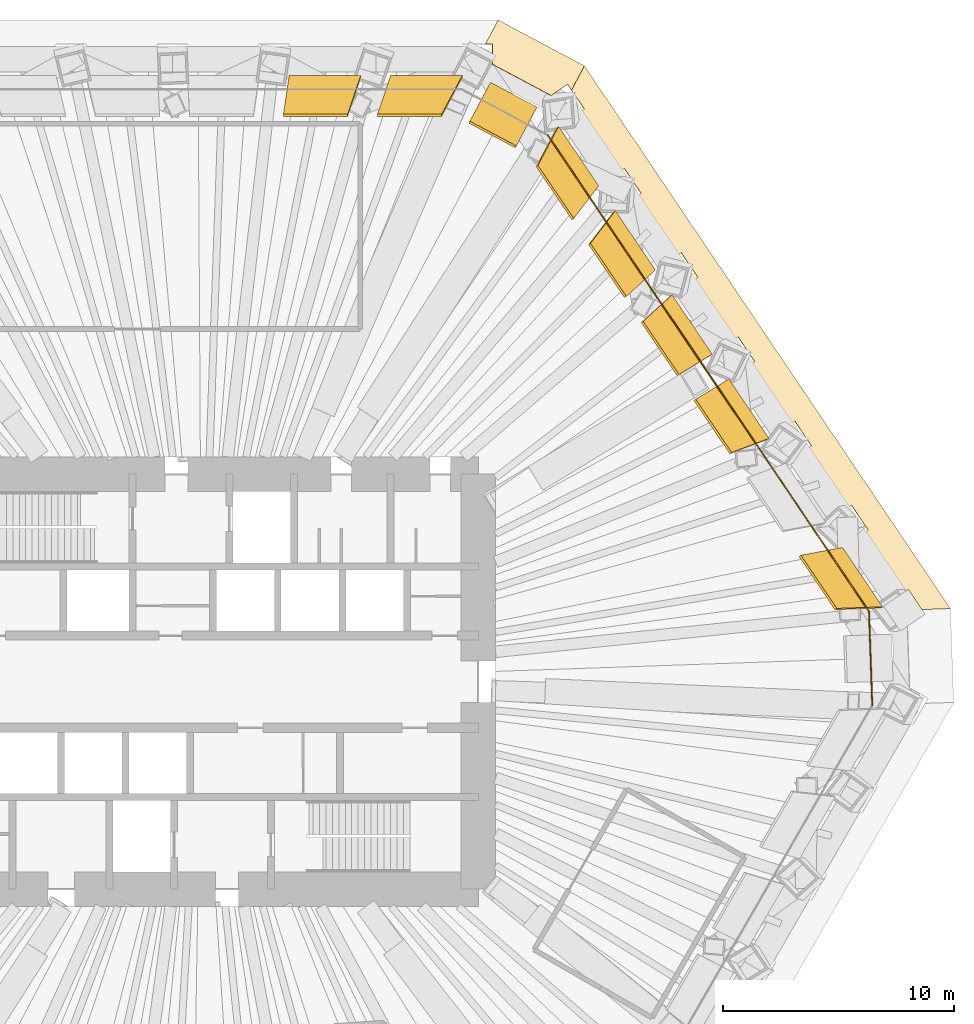
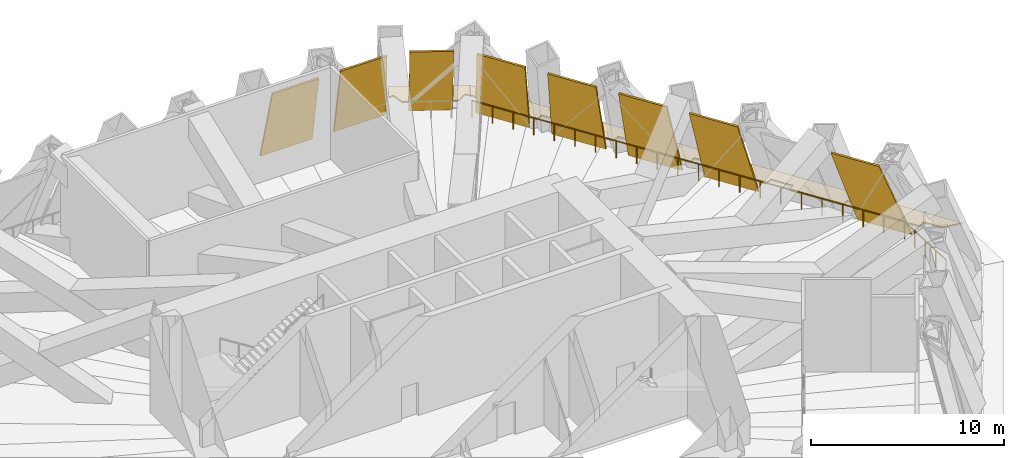
# One storey, part 11 of 12: 8 shading devices, 2 coverings, 1 railing.
"""IFC4 building model written with IfcOpenShell, lengths in metres."""

from ifc_helpers import new_model, si_unit, direction, frame, origin, origin_2d, place, context, subcontext, project, spatial, polyline, circle, outline, extrude, material, layer, layer_set, type_object, element, save


model = new_model("IFC4")

# Units and contexts
model_context = context("Model", 3, precision=1e-05, world=origin(), true_north=direction((0.0, 1.0)))
body_context = subcontext(model_context, "Body", "Model", "MODEL_VIEW")
ifc_project = project(units=[si_unit("LENGTHUNIT", "METRE"), si_unit("AREAUNIT", "SQUARE_METRE"), si_unit("VOLUMEUNIT", "CUBIC_METRE"), si_unit("PLANEANGLEUNIT", "RADIAN"), si_unit("MASSUNIT", "GRAM", prefix="KILO")], contexts=[model_context])

# Site, building, storey
site_placement = place(None, origin())
site = spatial("IfcSite", under=ifc_project, at=site_placement, CompositionType="ELEMENT")
building_placement = place(site_placement, origin())
building = spatial("IfcBuilding", under=site, at=building_placement, Name="Qingtian Harvest Tower", CompositionType="ELEMENT")
storey_placement = place(building_placement, frame((0.0, 0.0, 97.0)))
storey = spatial("IfcBuildingStorey", under=building, at=storey_placement, Name="L19", CompositionType="ELEMENT", Elevation=97.0)

# Coverings
ifc_material_1 = material(Name="Bronze-finished aluminium plate", Category="aluminium")
ifc_layer_1 = layer(ifc_material_1, 0.080078125)
ifc_layer_set_1 = layer_set([ifc_layer_1], Name="Bronze eave band EB1")
covering_type = type_object("IfcCoveringType", Name="Bronze eave band EB1", PredefinedType="CLADDING", material=ifc_layer_set_1)
covering_1_placement = place(storey_placement, frame((12.606201171875, 26.78271484375, -0.02001953125), z_axis=(0.076701145478, 0.144256088621, 0.986563284933), x_axis=(-7.933146e-06, 0.989478249147, -0.144681700299)))
element("IfcCovering", 1, at=covering_1_placement, inside=storey, type_object=covering_type, Name="Eave band EB1 L19 2", PredefinedType="CLADDING", context=body_context, shape_type="SweptSolid", body=[
    extrude(outline(polyline([(0.0, 0.0), (0.8763956404849803, 0.0), (0.8729717556472617, 0.3053438324773871), (1.9404732055051355, -0.2546695087778505), (-0.028366960971275244, -4.007654723345661), (-1.0956268409277816, -3.4478820961291046), (-0.8426554801771812, -3.276974547832019), (-1.3407439182009295, -2.555858715917611), (0.0, 0.0)])), origin(), (0.0, 0.0, -1.0), 0.080078125),
])
covering_2_placement = place(storey_placement, frame((16.14453125, 24.52734375, -0.02001953125), z_axis=(0.15283636579, 0.103089515442, 0.982859907158), x_axis=(0.81482413314, 0.549613709029, -0.184354015147)))
element("IfcCovering", 2, at=covering_2_placement, inside=storey, type_object=covering_type, Name="Eave band EB1 L19 3", PredefinedType="CLADDING", context=body_context, shape_type="SweptSolid", body=[
    extrude(outline(polyline([(0.0, 0.0), (0.5596684932795879, -3.5887091909270197e-17), (0.5597771179543012, 0.9955898071027259), (1.6278436724964207, 1.5538217317291556), (1.6277052207405978, -26.84003938804944), (0.559447402509713, -26.183965508392994), (0.5595462297121364, -25.127704423507748), (-0.0001222635674533734, -25.12770442350775), (-3.365918915498867e-05, -22.022976918155614), (0.5595006510560036, -22.023179319027086), (0.5595002254875999, -20.723013950498707), (-0.00016826779198808595, -20.723013950498707), (-7.96634136897012e-05, -17.618286445146573), (0.559454646831468, -17.618488846018042), (0.5596531529361951, -16.318460000498728), (-1.5340343392900024e-05, -16.318460000498728), (-6.0918999524872675e-05, -13.213934896018063), (0.5596075742800622, -13.213934896018063), (0.5596071487116604, -11.913769527489686), (-6.134456792761256e-05, -11.913769527489686), (-0.00010692322405958521, -8.809244423009023), (0.5595615700555275, -8.809244423009023), (0.5594269614526949, -7.509281455352113), (9.158288066757336e-05, -7.509215577489705), (4.6004224535156624e-05, -4.404690473009042), (0.559515565830993, -4.40455394999998), (0.5595798889012894, -3.1047275053521335), (4.557865613241674e-05, -3.104525104480664), (0.0, 0.0)])), origin(), (0.0, 0.0, -1.0), 0.080078125),
])

# Shading devices
ifc_material_2 = material(Name="Bronze-finished aluminium lattice", Category="aluminium")
ifc_layer_2 = layer(ifc_material_2, 0.10009765625)
ifc_layer_set_2 = layer_set([ifc_layer_2], Name="Bronze lattice screen LS1")
shading_device_type = type_object("IfcShadingDeviceType", Name="Bronze lattice screen LS1", PredefinedType="USERDEFINED", material=ifc_layer_set_2)
shading_device_1_placement = place(storey_placement, frame((3.796875, 26.300048828125, 0.0), z_axis=(0.0, 0.948683298051, 0.316227766017), x_axis=(1.0, 0.0, 0.0)))
element("IfcShadingDevice", 3, at=shading_device_1_placement, inside=storey, type_object=shading_device_type, Name="Lattice screen LS1 L19 N4", ObjectType="SCREEN", PredefinedType="USERDEFINED", context=body_context, shape_type="SweptSolid", body=[
    extrude(outline(polyline([(0.0, 0.0), (3.104736328125, 0.0), (2.5341796875, -5.32321886397973), (-0.24609375, -5.32321886397973), (0.0, 0.0)])), origin(), (0.0, 0.0, -1.0), 0.10009765625),
])
shading_device_2_placement = place(storey_placement, frame((8.20166015625, 26.300048828125, 0.0), z_axis=(0.0, 0.948683298051, 0.316227766017), x_axis=(1.0, 0.0, 0.0)))
element("IfcShadingDevice", 4, at=shading_device_2_placement, inside=storey, type_object=shading_device_type, Name="Lattice screen LS1 L19 N5", ObjectType="SCREEN", PredefinedType="USERDEFINED", context=body_context, shape_type="SweptSolid", body=[
    extrude(outline(polyline([(0.0, 0.0), (3.1044921875, 0.0), (2.20947265625, -5.32321886397973), (-0.570556640625, -5.32321886397973), (0.0, 0.0)])), origin(), (0.0, 0.0, -1.0), 0.10009765625),
])
shading_device_3_placement = place(storey_placement, frame((12.530029296875, 25.994873046875, 0.0), z_axis=(0.439209377372, 0.826046090729, 0.353189720717), x_axis=(0.882950747552, -0.469465629623, 0.0)))
element("IfcShadingDevice", 5, at=shading_device_3_placement, inside=storey, type_object=shading_device_type, Name="Lattice screen LS1 L19 NC", ObjectType="SCREEN", PredefinedType="USERDEFINED", context=body_context, shape_type="SweptSolid", body=[
    extrude(outline(polyline([(0.0, 0.0), (2.2808928144734217, -5.551115123125783e-17), (2.28090943452406, -5.397936553431542), (1.6620050638306093e-05, -5.397936553431542), (0.0, 0.0)])), origin(), (0.0, 0.0, -1.0), 0.10009765625),
])
shading_device_4_placement = place(storey_placement, frame((15.4814453125, 24.080078125, 0.0), z_axis=(0.7865188879, 0.530459446113, 0.316229054652), x_axis=(0.559155679659, -0.829062679083, -7.506551e-06)))
element("IfcShadingDevice", 6, at=shading_device_4_placement, inside=storey, type_object=shading_device_type, Name="Lattice screen LS1 L19 NE0", ObjectType="SCREEN", PredefinedType="USERDEFINED", context=body_context, shape_type="SweptSolid", body=[
    extrude(outline(polyline([(0.0, 0.0), (3.1047275057690653, 0.0), (3.6752178084121327, -5.323250354940823), (0.89510917422902, -5.323203790568995), (0.0, 0.0)])), origin(), (0.0, 0.0, -1.0), 0.10009765625),
])
shading_device_5_placement = place(storey_placement, frame((17.9443359375, 20.428466796875, 0.0), z_axis=(0.786506912498, 0.530490726259, 0.316206366074), x_axis=(0.559181342857, -0.829045370166, 2.811531e-06)))
element("IfcShadingDevice", 7, at=shading_device_5_placement, inside=storey, type_object=shading_device_type, Name="Lattice screen LS1 L19 NE1", ObjectType="SCREEN", PredefinedType="USERDEFINED", context=body_context, shape_type="SweptSolid", body=[
    extrude(outline(polyline([(0.0, 0.0), (3.1047275065210624, -5.551115123125783e-17), (3.350871966866163, -5.323168908986348), (0.5706268176852018, -5.323186349643704), (0.0, 0.0)])), origin(), (0.0, 0.0, -1.0), 0.10009765625),
])
shading_device_6_placement = place(storey_placement, frame((20.407470703125, 16.77685546875, 0.0), z_axis=(0.786500174983, 0.530486181875, 0.316230747385), x_axis=(0.559181342737, -0.829045370246, 2.811724e-06)))
element("IfcShadingDevice", 8, at=shading_device_6_placement, inside=storey, type_object=shading_device_type, Name="Lattice screen LS1 L19 NE2", ObjectType="SCREEN", PredefinedType="USERDEFINED", context=body_context, shape_type="SweptSolid", body=[
    extrude(outline(polyline([(0.0, 0.0), (3.1047275065210647, 0.0), (3.02625309185994, -5.3232154710837465), (0.24600794267898524, -5.323232913085876), (0.0, 0.0)])), origin(), (0.0, 0.0, -1.0), 0.10009765625),
])
shading_device_7_placement = place(storey_placement, frame((22.870361328125, 13.125244140625, 0.0), z_axis=(0.786510246663, 0.530480163365, 0.316215793677), x_axis=(0.559176634211, -0.829048545963, -1.3738725e-05)))
element("IfcShadingDevice", 9, at=shading_device_7_placement, inside=storey, type_object=shading_device_type, Name="Lattice screen LS1 L19 NE3", ObjectType="SCREEN", PredefinedType="USERDEFINED", context=body_context, shape_type="SweptSolid", body=[
    extrude(outline(polyline([(0.0, 0.0), (3.1045251019088216, 5.551115123125783e-17), (2.7016967137984347, -5.323235597681657), (-0.07841191717325936, -5.323150377435246), (0.0, 0.0)])), origin(), (0.0, 0.0, -1.0), 0.10009765625),
])
shading_device_8_placement = place(storey_placement, frame((27.79638671875, 5.822021484375, 0.0), z_axis=(0.786493800295, 0.530508428873, 0.316209280371), x_axis=(0.559202297577, -0.829031236066, -3.420592e-06)))
element("IfcShadingDevice", 10, at=shading_device_8_placement, inside=storey, type_object=shading_device_type, Name="Lattice screen LS1 L19 NE5", ObjectType="SCREEN", PredefinedType="USERDEFINED", context=body_context, shape_type="SweptSolid", body=[
    extrude(outline(polyline([(0.0, 0.0), (3.104525104657336, 0.0), (2.0527320012104777, -5.323191691348329), (-0.727513147878442, -5.323170473237191), (0.0, 0.0)])), origin(), (0.0, 0.0, -1.0), 0.10009765625),
])

# Railing
ifc_material_3 = material(Name="Galvanised steel guard", Category="steel")
railing_type = type_object("IfcRailingType", Name="Setback roof guard GR4 1100", PredefinedType="GUARDRAIL", material=ifc_material_3)
railing_placement = place(storey_placement, frame((15.007080078125, 23.710205078125, 0.0)))
element("IfcRailing", 11, at=railing_placement, inside=storey, type_object=railing_type, Name="Setback roof guard GR4 L19 NE", PredefinedType="GUARDRAIL", context=body_context, shape_type="SweptSolid", body=[
    extrude(circle(Radius=0.02392578125, at=origin_2d()), frame((0.0, 0.0, 1.076171875), z_axis=(0.559192712788, -0.829037701172, 0.0), x_axis=(0.829037701172, 0.559192712788, 0.0)), (0.0, 0.0, 1.0), 24.923828125),
    extrude(circle(Radius=0.02392578125, at=origin_2d()), frame((13.937255859375, -20.662841796875, 1.076171875), z_axis=(0.03490639867, -0.999390585973, 0.0), x_axis=(0.999390585973, 0.03490639867, 0.0)), (0.0, 0.0, 1.0), 4.070556640625),
    extrude(circle(Radius=0.02099609375, at=origin_2d()), origin(), (0.0, 0.0, 1.0), 1.052001953125),
    extrude(circle(Radius=0.02099609375, at=origin_2d()), frame((0.66357421875, -0.98388671875, 0.0)), (0.0, 0.0, 1.0), 1.052001953125),
    extrude(circle(Radius=0.02099609375, at=origin_2d()), frame((1.327392578125, -1.9677734375, 0.0)), (0.0, 0.0, 1.0), 1.052001953125),
    extrude(circle(Radius=0.02099609375, at=origin_2d()), frame((1.990966796875, -2.951904296875, 0.0)), (0.0, 0.0, 1.0), 1.052001953125),
    extrude(circle(Radius=0.02099609375, at=origin_2d()), frame((2.65478515625, -3.935791015625, 0.0)), (0.0, 0.0, 1.0), 1.052001953125),
    extrude(circle(Radius=0.02099609375, at=origin_2d()), frame((3.318359375, -4.919677734375, 0.0)), (0.0, 0.0, 1.0), 1.052001953125),
    extrude(circle(Radius=0.02099609375, at=origin_2d()), frame((3.982177734375, -5.903564453125, 0.0)), (0.0, 0.0, 1.0), 1.052001953125),
    extrude(circle(Radius=0.02099609375, at=origin_2d()), frame((4.645751953125, -6.8876953125, 0.0)), (0.0, 0.0, 1.0), 1.052001953125),
    extrude(circle(Radius=0.02099609375, at=origin_2d()), frame((5.309326171875, -7.87158203125, 0.0)), (0.0, 0.0, 1.0), 1.052001953125),
    extrude(circle(Radius=0.02099609375, at=origin_2d()), frame((5.97314453125, -8.85546875, 0.0)), (0.0, 0.0, 1.0), 1.052001953125),
    extrude(circle(Radius=0.02099609375, at=origin_2d()), frame((6.63671875, -9.83935546875, 0.0)), (0.0, 0.0, 1.0), 1.052001953125),
    extrude(circle(Radius=0.02099609375, at=origin_2d()), frame((7.300537109375, -10.823486328125, 0.0)), (0.0, 0.0, 1.0), 1.052001953125),
    extrude(circle(Radius=0.02099609375, at=origin_2d()), frame((7.964111328125, -11.807373046875, 0.0)), (0.0, 0.0, 1.0), 1.052001953125),
    extrude(circle(Radius=0.02099609375, at=origin_2d()), frame((8.6279296875, -12.791259765625, 0.0)), (0.0, 0.0, 1.0), 1.052001953125),
    extrude(circle(Radius=0.02099609375, at=origin_2d()), frame((9.29150390625, -13.775146484375, 0.0)), (0.0, 0.0, 1.0), 1.052001953125),
    extrude(circle(Radius=0.02099609375, at=origin_2d()), frame((9.955078125, -14.75927734375, 0.0)), (0.0, 0.0, 1.0), 1.052001953125),
    extrude(circle(Radius=0.02099609375, at=origin_2d()), frame((10.618896484375, -15.7431640625, 0.0)), (0.0, 0.0, 1.0), 1.052001953125),
    extrude(circle(Radius=0.02099609375, at=origin_2d()), frame((11.282470703125, -16.72705078125, 0.0)), (0.0, 0.0, 1.0), 1.052001953125),
    extrude(circle(Radius=0.02099609375, at=origin_2d()), frame((11.9462890625, -17.7109375, 0.0)), (0.0, 0.0, 1.0), 1.052001953125),
    extrude(circle(Radius=0.02099609375, at=origin_2d()), frame((12.60986328125, -18.695068359375, 0.0)), (0.0, 0.0, 1.0), 1.052001953125),
    extrude(circle(Radius=0.02099609375, at=origin_2d()), frame((13.273681640625, -19.678955078125, 0.0)), (0.0, 0.0, 1.0), 1.052001953125),
    extrude(circle(Radius=0.02099609375, at=origin_2d()), frame((13.937255859375, -20.662841796875, 0.0)), (0.0, 0.0, 1.0), 1.052001953125),
    extrude(circle(Radius=0.02099609375, at=origin_2d()), frame((13.97265625, -21.679931640625, 0.0)), (0.0, 0.0, 1.0), 1.052001953125),
    extrude(circle(Radius=0.02099609375, at=origin_2d()), frame((14.00830078125, -22.69677734375, 0.0)), (0.0, 0.0, 1.0), 1.052001953125),
    extrude(circle(Radius=0.02099609375, at=origin_2d()), frame((14.0439453125, -23.7138671875, 0.0)), (0.0, 0.0, 1.0), 1.052001953125),
    extrude(circle(Radius=0.02099609375, at=origin_2d()), frame((14.079345703125, -24.73095703125, 0.0)), (0.0, 0.0, 1.0), 1.052001953125),
])

save(model, "model.ifc")
